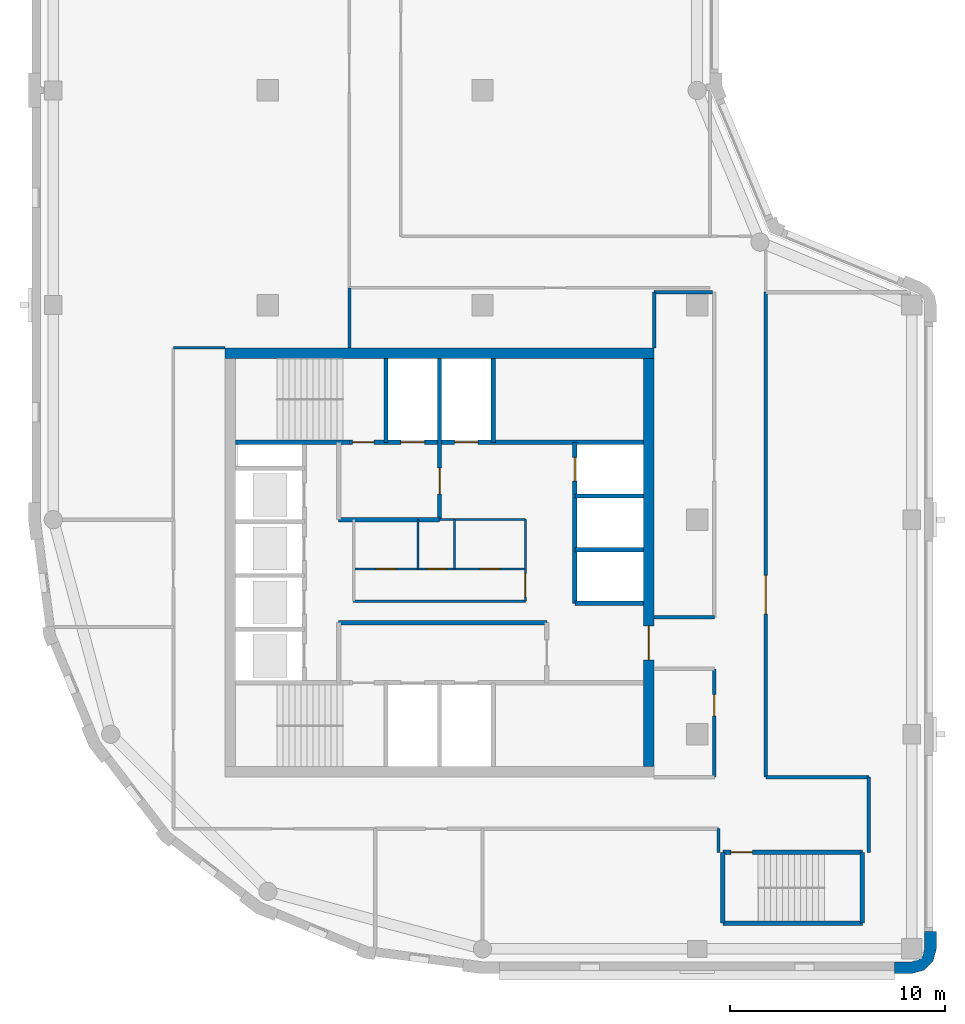
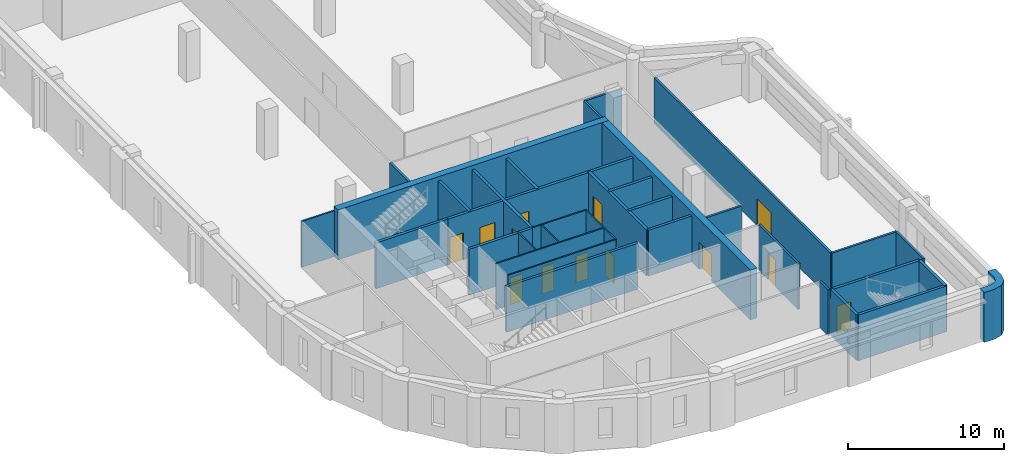
# One storey, part 3 of 8: 34 walls, 13 doors, 13 openings.
"""IFC4 building model written with IfcOpenShell, lengths in metres."""

import ifcopenshell
import ifcopenshell.guid

model = None  # the IFC model being written
_history = None  # IfcOwnerHistory: only IFC2X3 demands one
_inside = {}  # id of a spatial element -> (the spatial element, [elements in it])
_under = {}  # id of a project, library or spatial element -> (it, [spatial elements below it])
_declared = {}  # id of a project -> (the project, [libraries it declares])
_typed = {}  # id of a type object -> (the type object, [elements of that type])
_made_of = {}  # id of a material, layer set ... -> (it, [elements and type objects made of it])


def new_model(schema):
    """Start an empty IFC model of exactly this schema.

    Asked for "IFC4X3", IfcOpenShell would pick the latest addendum, in which some entities
    have other attributes; the version numbers below select the first issue.
    IFC2X3 requires an IfcOwnerHistory on every rooted entity: one is made here for all.
    """
    global model, _history
    if schema == "IFC4X3":
        model = ifcopenshell.file(schema_version=(4, 3, 0, 0))
    else:
        model = ifcopenshell.file(schema=schema)
    _inside.clear()
    _under.clear()
    _declared.clear()
    _typed.clear()
    _made_of.clear()
    _history = None
    if model.schema == "IFC2X3":
        org = make("IfcOrganization", Name="unknown")
        user = make(
            "IfcPersonAndOrganization",
            ThePerson=make("IfcPerson", FamilyName="unknown"),
            TheOrganization=org,
        )
        app = make(
            "IfcApplication",
            ApplicationDeveloper=org,
            Version="unknown",
            ApplicationFullName="unknown",
            ApplicationIdentifier="unknown",
        )
        _history = make(
            "IfcOwnerHistory",
            OwningUser=user,
            OwningApplication=app,
            ChangeAction="ADDED",
            CreationDate=0,
        )
    return model


def make(cls, **values):
    """One entity of the class cls with the attributes given. An attribute that is None is left unset."""
    return model.create_entity(
        cls, **{name: value for name, value in values.items() if value is not None}
    )


def rooted(cls, **values):
    """An entity with a GlobalId (a new one), such as an element, a storey or a relation."""
    return make(cls, GlobalId=ifcopenshell.guid.new(), OwnerHistory=_history, **values)


def si_unit(unit_type, name, prefix=None):
    """IfcSIUnit, for example si_unit("LENGTHUNIT", "METRE", prefix="MILLI")."""
    return make("IfcSIUnit", UnitType=unit_type, Prefix=prefix, Name=name)


def assignment(units):
    """IfcUnitAssignment: the units of a project."""
    return None if units is None else make("IfcUnitAssignment", Units=units)


def point(xyz):
    """IfcCartesianPoint."""
    return None if xyz is None else make("IfcCartesianPoint", Coordinates=xyz)


def direction(xyz):
    """IfcDirection."""
    return None if xyz is None else make("IfcDirection", DirectionRatios=xyz)


def frame(location, z_axis=None, x_axis=None):
    """IfcAxis2Placement3D, a coordinate frame: its origin and axes. An axis left out is left unset."""
    return make(
        "IfcAxis2Placement3D",
        Location=point(location),
        Axis=direction(z_axis),
        RefDirection=direction(x_axis),
    )


def frame_2d(location, x_axis=None):
    """IfcAxis2Placement2D, a coordinate frame in the plane: its origin and x axis."""
    return make(
        "IfcAxis2Placement2D", Location=point(location), RefDirection=direction(x_axis)
    )


def origin():
    """The frame at (0, 0, 0) with its axes left unset."""
    return frame((0.0, 0.0, 0.0))


def place(relative_to, where):
    """IfcLocalPlacement: puts the frame where relative to a parent placement (None: the world)."""
    return make(
        "IfcLocalPlacement", PlacementRelTo=relative_to, RelativePlacement=where
    )


def context(
    kind, dimensions, precision=None, world=None, true_north=None, identifier=None
):
    """IfcGeometricRepresentationContext, for example the 3D "Model" context."""
    return make(
        "IfcGeometricRepresentationContext",
        ContextIdentifier=identifier,
        ContextType=kind,
        CoordinateSpaceDimension=dimensions,
        Precision=precision,
        WorldCoordinateSystem=world,
        TrueNorth=true_north,
    )


def subcontext(parent, identifier, kind, view, scale=None):
    """IfcGeometricRepresentationSubContext, for example "Body" below "Model"."""
    return make(
        "IfcGeometricRepresentationSubContext",
        ContextIdentifier=identifier,
        ContextType=kind,
        ParentContext=parent,
        TargetScale=scale,
        TargetView=view,
    )


def project(units=None, contexts=None):
    """IfcProject with its units and contexts."""
    return rooted(
        "IfcProject",
        Name="project",
        RepresentationContexts=contexts,
        UnitsInContext=assignment(units),
    )


def spatial(cls, under=None, at=None, **own):
    """A site, building, storey or space (cls), placed at a placement, below another one or the project."""
    s = rooted(cls, ObjectPlacement=at, **own)
    if under is not None:
        _under.setdefault(under.id(), (under, []))[1].append(s)
    return s


def polyline(points):
    """IfcPolyline through the points."""
    return make("IfcPolyline", Points=[point(p) for p in points])


def profile(cls, at=None, kind="AREA", **sizes):
    """A parametric profile (cls). Its sizes go by their IFC names, for example OverallWidth=200.0."""
    return make(cls, ProfileType=kind, Position=at, **sizes)


def rectangle(**sizes):
    """IfcRectangleProfileDef."""
    return profile("IfcRectangleProfileDef", **sizes)


def outline(outer, holes=None, kind="AREA"):
    """IfcArbitraryClosedProfileDef: a profile drawn as a closed curve; with holes, ...WithVoids."""
    if holes is None:
        return make("IfcArbitraryClosedProfileDef", ProfileType=kind, OuterCurve=outer)
    return make(
        "IfcArbitraryProfileDefWithVoids",
        ProfileType=kind,
        OuterCurve=outer,
        InnerCurves=holes,
    )


def extrude(swept, where, along, depth):
    """IfcExtrudedAreaSolid: the profile swept, set in the frame where, extruded along a direction by depth."""
    return make(
        "IfcExtrudedAreaSolid",
        SweptArea=swept,
        Position=where,
        ExtrudedDirection=direction(along),
        Depth=depth,
    )


def shape(context_of_items, identifier, shape_type, items):
    """IfcShapeRepresentation: the items that make up one representation, for example the "Body"."""
    return make(
        "IfcShapeRepresentation",
        ContextOfItems=context_of_items,
        RepresentationIdentifier=identifier,
        RepresentationType=shape_type,
        Items=items,
    )


def material(Name=None, Category=None):
    """IfcMaterial."""
    return make("IfcMaterial", Name=Name, Category=Category)


def layer(
    of_material, thickness, ventilated=None, Name=None, Category=None, Priority=None
):
    """IfcMaterialLayer: one layer of a wall or slab, of a material (None: an air gap)."""
    return make(
        "IfcMaterialLayer",
        Material=of_material,
        LayerThickness=thickness,
        IsVentilated=ventilated,
        Name=Name,
        Category=Category,
        Priority=Priority,
    )


def layer_set(layers, Name=None):
    """IfcMaterialLayerSet."""
    return make("IfcMaterialLayerSet", MaterialLayers=layers, LayerSetName=Name)


def made_of(thing, what):
    """Note that an element or type object is made of a material, layer set ...; save() writes the relation."""
    if what is not None:
        _made_of.setdefault(what.id(), (what, []))[1].append(thing)
    return thing


def type_object(cls, material=None, **own):
    """A type object (cls), such as IfcWallType, which elements share."""
    return made_of(rooted(cls, **own), material)


def element(
    cls,
    number,
    at=None,
    inside=None,
    cuts=None,
    type_object=None,
    material=None,
    context=None,
    identifier="Body",
    shape_type=None,
    held_by="IfcProductDefinitionShape",
    body=None,
    shapes=None,
    **own,
):
    """One element of the class cls, such as IfcWall. Its Tag is "e" and its number.

    at: its placement. inside: the storey or other place that contains it. cuts: it is an
    opening in that element (IfcRelVoidsElement). A single representation is given by context,
    identifier, shape_type and body (its items); several are given by shapes. held_by: the class
    of the entity that holds the representations. save() writes the other relations.
    """
    e = rooted(cls, Tag="e%d" % number, ObjectPlacement=at, **own)
    if body is not None:
        shapes = [shape(context, identifier, shape_type, body)]
    if shapes is not None:
        e.Representation = make(held_by, Representations=shapes)
    if inside is not None:
        _inside.setdefault(inside.id(), (inside, []))[1].append(e)
    if cuts is not None:
        rooted(
            "IfcRelVoidsElement", RelatingBuildingElement=cuts, RelatedOpeningElement=e
        )
    if type_object is not None:
        _typed.setdefault(type_object.id(), (type_object, []))[1].append(e)
    return made_of(e, material)


def fill(opening, filler):
    """IfcRelFillsElement: the door or window that sits in an opening."""
    return rooted(
        "IfcRelFillsElement",
        RelatingOpeningElement=opening,
        RelatedBuildingElement=filler,
    )


def aggregate(whole, parts):
    """IfcRelAggregates: a whole, such as a stair, and the parts it consists of."""
    return rooted("IfcRelAggregates", RelatingObject=whole, RelatedObjects=parts)


def save(model, path):
    """Write the relations noted so far, then the file.

    IfcRelAggregates (storeys below a building ...), IfcRelContainedInSpatialStructure (elements
    in a storey), IfcRelDefinesByType, IfcRelAssociatesMaterial and IfcRelDeclares: one each for
    every whole, place, type object, material and project.
    """
    for whole, parts in _under.values():
        aggregate(whole, parts)
    for where, things in _inside.values():
        rooted(
            "IfcRelContainedInSpatialStructure",
            RelatedElements=things,
            RelatingStructure=where,
        )
    for kind, things in _typed.values():
        rooted("IfcRelDefinesByType", RelatedObjects=things, RelatingType=kind)
    for what, things in _made_of.values():
        rooted("IfcRelAssociatesMaterial", RelatedObjects=things, RelatingMaterial=what)
    for by, libraries in _declared.values():
        rooted("IfcRelDeclares", RelatingContext=by, RelatedDefinitions=libraries)
    model.write(path)


model = new_model("IFC4")

# Units and contexts
model_context = context("Model", 3, precision=1e-05, world=origin(), true_north=direction((0.0, 1.0)))
body_context = subcontext(model_context, "Body", "Model", "MODEL_VIEW")
ifc_project = project(units=[si_unit("LENGTHUNIT", "METRE"), si_unit("AREAUNIT", "SQUARE_METRE"), si_unit("VOLUMEUNIT", "CUBIC_METRE"), si_unit("PLANEANGLEUNIT", "RADIAN"), si_unit("MASSUNIT", "GRAM", prefix="KILO")], contexts=[model_context])

# Site, building, storey
site_placement = place(None, origin())
site = spatial("IfcSite", under=ifc_project, at=site_placement, CompositionType="ELEMENT")
building_placement = place(site_placement, origin())
building = spatial("IfcBuilding", under=site, at=building_placement, Name="Qaws Garden Tower", CompositionType="ELEMENT")
storey_placement = place(building_placement, frame((0.0, 0.0, 286.5)))
storey = spatial("IfcBuildingStorey", under=building, at=storey_placement, Name="L69", CompositionType="ELEMENT", Elevation=286.5)

# Walls
ifc_material_1 = material(Name="Clay facing brick masonry", Category="masonry")
ifc_layer_1 = layer(ifc_material_1, 0.550048828125)
ifc_layer_set_1 = layer_set([ifc_layer_1], Name="Clay facing brick masonry")
wall_type_1 = type_object("IfcWallType", Name="Brick corner pier 550 x 2400", PredefinedType="SOLIDWALL", material=ifc_layer_set_1)
wall_1_placement = place(storey_placement, origin())
element("IfcWall", 1, at=wall_1_placement, inside=storey, type_object=wall_type_1, Name="E-L69-pier-02", PredefinedType="SOLIDWALL", context=body_context, shape_type="SweptSolid", body=[
    extrude(outline(polyline([(39.199951171875, -1.0), (39.199951171875, -1.14990234375), (40.0, -1.14990234375), (40.574951171875, -0.995849609375), (40.995849609375, -0.574951171875), (41.14990234375, 0.0), (41.14990234375, 0.800048828125), (41.0, 0.800048828125), (40.60009765625, 0.800048828125), (40.60009765625, 0.0), (40.51953125, -0.300048828125), (40.300048828125, -0.51953125), (40.0, -0.60009765625), (39.199951171875, -0.60009765625), (39.199951171875, -1.0)])), origin(), (0.0, 0.0, 1.0), 3.89990234375),
])
ifc_material_2 = material(Name="Plasterboard")
ifc_layer_2 = layer(ifc_material_2, 0.10009765625)
ifc_layer_set_2 = layer_set([ifc_layer_2], Name="Plasterboard")
wall_type_2 = type_object("IfcWallType", Name="Core partition 100", PredefinedType="PARTITIONING", material=ifc_layer_set_2)
wall_2_placement = place(storey_placement, frame((14.0, 16.199951171875, 0.0), z_axis=(0.0, 0.0, 1.0), x_axis=(1.0, 0.0, 0.0)))
element("IfcWall", 2, at=wall_2_placement, inside=storey, type_object=wall_type_2, Name="Core partition", PredefinedType="PARTITIONING", context=body_context, shape_type="SweptSolid", body=[
    extrude(rectangle(XDim=8.0, YDim=0.10009765625, at=frame_2d((4.0, 0.0))), origin(), (0.0, 0.0, 1.0), 3.580078125),
])

# Wall, openings, doors
wall_3_placement = place(storey_placement, frame((14.0, 17.699951171875, 0.0), z_axis=(0.0, 0.0, 1.0), x_axis=(1.0, 0.0, 0.0)))
wall_3 = element("IfcWall", 3, at=wall_3_placement, inside=storey, type_object=wall_type_2, Name="Core partition", PredefinedType="PARTITIONING", context=body_context, shape_type="SweptSolid", body=[
    extrude(rectangle(XDim=8.0, YDim=0.10009765625, at=frame_2d((4.0, 0.0))), origin(), (0.0, 0.0, 1.0), 3.580078125),
])
opening_1_placement = place(wall_3_placement, frame((1.050048828125, 0.0, 0.0)))
opening_1 = element("IfcOpeningElement", 4, at=opening_1_placement, cuts=wall_3, Name="Opening WD18", PredefinedType="OPENING", context=body_context, shape_type="SweptSolid", body=[
    extrude(rectangle(XDim=0.89990234375, YDim=2.10009765625, at=frame_2d((0.449951171875, 1.050048828125))), frame((0.0, 0.06005859375, 0.0), z_axis=(0.0, -1.0, 0.0), x_axis=(1.0, 0.0, 0.0)), (0.0, 0.0, 1.0), 0.1201171875),
])
opening_2_placement = place(wall_3_placement, frame((3.39990234375, 0.0, 0.0)))
opening_2 = element("IfcOpeningElement", 5, at=opening_2_placement, cuts=wall_3, Name="Opening WD19", PredefinedType="OPENING", context=body_context, shape_type="SweptSolid", body=[
    extrude(rectangle(XDim=0.89990234375, YDim=2.10009765625, at=frame_2d((0.449951171875, 1.050048828125))), frame((0.0, 0.06005859375, 0.0), z_axis=(0.0, -1.0, 0.0), x_axis=(1.0, 0.0, 0.0)), (0.0, 0.0, 1.0), 0.1201171875),
])
opening_3_placement = place(wall_3_placement, frame((5.89990234375, 0.0, 0.0)))
opening_3 = element("IfcOpeningElement", 6, at=opening_3_placement, cuts=wall_3, Name="Opening WD20", PredefinedType="OPENING", context=body_context, shape_type="SweptSolid", body=[
    extrude(rectangle(XDim=0.89990234375, YDim=2.10009765625, at=frame_2d((0.449951171875, 1.050048828125))), frame((0.0, 0.06005859375, 0.0), z_axis=(0.0, -1.0, 0.0), x_axis=(1.0, 0.0, 0.0)), (0.0, 0.0, 1.0), 0.1201171875),
])
ifc_material_3 = material(Name="Timber", Category="wood")
door_type_1 = type_object("IfcDoorType", Name="WC door 900x2100", OperationType="SINGLE_SWING_LEFT", PredefinedType="DOOR", material=ifc_material_3)
door_1_placement = place(opening_1_placement, origin())
door_1 = element("IfcDoor", 7, at=door_1_placement, inside=storey, type_object=door_type_1, Name="Men's WC door", OperationType="SINGLE_SWING_RIGHT", OverallHeight=2.10009765625, OverallWidth=0.89990234375, PredefinedType="DOOR", context=body_context, shape_type="SweptSolid", body=[
    extrude(rectangle(XDim=0.89990234375, YDim=2.10009765625, at=frame_2d((0.449951171875, 1.050048828125))), frame((0.0, 0.02490234375, 0.0), z_axis=(0.0, -1.0, 0.0), x_axis=(1.0, 0.0, 0.0)), (0.0, 0.0, 1.0), 0.050048828125),
])
fill(opening_1, door_1)
door_2_placement = place(opening_2_placement, origin())
door_2 = element("IfcDoor", 8, at=door_2_placement, inside=storey, type_object=door_type_1, Name="Accessible WC door", OperationType="SINGLE_SWING_RIGHT", OverallHeight=2.10009765625, OverallWidth=0.89990234375, PredefinedType="DOOR", context=body_context, shape_type="SweptSolid", body=[
    extrude(rectangle(XDim=0.89990234375, YDim=2.10009765625, at=frame_2d((0.449951171875, 1.050048828125))), frame((0.0, 0.02490234375, 0.0), z_axis=(0.0, -1.0, 0.0), x_axis=(1.0, 0.0, 0.0)), (0.0, 0.0, 1.0), 0.050048828125),
])
fill(opening_2, door_2)
door_3_placement = place(opening_3_placement, origin())
door_3 = element("IfcDoor", 9, at=door_3_placement, inside=storey, type_object=door_type_1, Name="Women's WC door", OperationType="SINGLE_SWING_RIGHT", OverallHeight=2.10009765625, OverallWidth=0.89990234375, PredefinedType="DOOR", context=body_context, shape_type="SweptSolid", body=[
    extrude(rectangle(XDim=0.89990234375, YDim=2.10009765625, at=frame_2d((0.449951171875, 1.050048828125))), frame((0.0, 0.02490234375, 0.0), z_axis=(0.0, -1.0, 0.0), x_axis=(1.0, 0.0, 0.0)), (0.0, 0.0, 1.0), 0.050048828125),
])
fill(opening_3, door_3)

# Walls
wall_4_placement = place(storey_placement, frame((18.0, 20.0, 0.0), z_axis=(0.0, 0.0, 1.0), x_axis=(1.0, 0.0, 0.0)))
element("IfcWall", 10, at=wall_4_placement, inside=storey, type_object=wall_type_2, Name="Core partition", PredefinedType="PARTITIONING", context=body_context, shape_type="SweptSolid", body=[
    extrude(rectangle(XDim=4.0, YDim=0.10009765625, at=frame_2d((2.0, 0.0))), origin(), (0.0, 0.0, 1.0), 3.580078125),
])
for number, where, z_axis, x_axis, name in (
    (11, (17.0, 17.699951171875, 0.0), (0.0, 0.0, 1.0), (0.0, 1.0, 0.0), "Core partition"),
    (12, (18.699951171875, 17.699951171875, 0.0), (0.0, 0.0, 1.0), (0.0, 1.0, 0.0), "Core partition"),
):
    element("IfcWall", number, at=place(storey_placement, frame(where, z_axis=z_axis, x_axis=x_axis)), inside=storey, type_object=wall_type_2, Name=name, PredefinedType="PARTITIONING", context=body_context, shape_type="SweptSolid", body=[
        extrude(rectangle(XDim=2.300048828125, YDim=0.10009765625, at=frame_2d((1.14990234375, 0.0))), origin(), (0.0, 0.0, 1.0), 3.580078125),
    ])

# Wall, opening, door
wall_5_placement = place(storey_placement, frame((22.0, 16.199951171875, 0.0), z_axis=(0.0, 0.0, 1.0), x_axis=(0.0, 1.0, 0.0)))
wall_5 = element("IfcWall", 13, at=wall_5_placement, inside=storey, type_object=wall_type_2, Name="Core partition", PredefinedType="PARTITIONING", context=body_context, shape_type="SweptSolid", body=[
    extrude(rectangle(XDim=3.800048828125, YDim=0.10009765625, at=frame_2d((1.89990234375, 0.0))), origin(), (0.0, 0.0, 1.0), 3.580078125),
])
opening_4_placement = place(wall_5_placement, frame((0.199951171875, 0.0, 0.0)))
opening_4 = element("IfcOpeningElement", 14, at=opening_4_placement, cuts=wall_5, Name="Opening WL17", PredefinedType="OPENING", context=body_context, shape_type="SweptSolid", body=[
    extrude(rectangle(XDim=1.10009765625, YDim=2.10009765625, at=frame_2d((0.550048828125, 1.050048828125))), frame((0.0, 0.06005859375, 0.0), z_axis=(0.0, -1.0, 0.0), x_axis=(1.0, 0.0, 0.0)), (0.0, 0.0, 1.0), 0.1201171875),
])
ifc_material_4 = material(Name="Timber", Category="wood")
door_type_2 = type_object("IfcDoorType", Name="WC lobby door 1100x2100", OperationType="SINGLE_SWING_LEFT", PredefinedType="DOOR", material=ifc_material_4)
door_4_placement = place(opening_4_placement, origin())
door_4 = element("IfcDoor", 15, at=door_4_placement, inside=storey, type_object=door_type_2, Name="WC lobby door", OperationType="SINGLE_SWING_RIGHT", OverallHeight=2.10009765625, OverallWidth=1.10009765625, PredefinedType="DOOR", context=body_context, shape_type="SweptSolid", body=[
    extrude(rectangle(XDim=1.10009765625, YDim=2.10009765625, at=frame_2d((0.550048828125, 1.050048828125))), frame((0.0, 0.02490234375, 0.0), z_axis=(0.0, -1.0, 0.0), x_axis=(1.0, 0.0, 0.0)), (0.0, 0.0, 1.0), 0.050048828125),
])
fill(opening_4, door_4)

# Wall
ifc_material_5 = material(Name="Concrete C60", Category="concrete")
ifc_layer_3 = layer(ifc_material_5, 0.199951171875)
ifc_layer_set_3 = layer_set([ifc_layer_3], Name="Concrete C60")
wall_type_3 = type_object("IfcWallType", Name="Core shaft wall 200 C60", PredefinedType="SHEAR", material=ifc_layer_set_3)
wall_6_placement = place(storey_placement, frame((31.199951171875, 1.199951171875, 0.0), z_axis=(0.0, 0.0, 1.0), x_axis=(1.0, 0.0, 0.0)))
element("IfcWall", 16, at=wall_6_placement, inside=storey, type_object=wall_type_3, Name="Shaft wall", PredefinedType="SHEAR", context=body_context, shape_type="SweptSolid", body=[
    extrude(rectangle(XDim=6.5, YDim=0.199951171875, at=frame_2d((3.25, 0.0))), origin(), (0.0, 0.0, 1.0), 3.580078125),
])

# Wall, opening, door
wall_7_placement = place(storey_placement, frame((31.199951171875, 4.5, 0.0), z_axis=(0.0, 0.0, 1.0), x_axis=(1.0, 0.0, 0.0)))
wall_7 = element("IfcWall", 17, at=wall_7_placement, inside=storey, type_object=wall_type_3, Name="Shaft wall", PredefinedType="SHEAR", context=body_context, shape_type="SweptSolid", body=[
    extrude(rectangle(XDim=6.5, YDim=0.199951171875, at=frame_2d((3.25, 0.0))), origin(), (0.0, 0.0, 1.0), 3.580078125),
])
opening_5_placement = place(wall_7_placement, frame((0.375, 0.0, 0.0)))
opening_5 = element("IfcOpeningElement", 18, at=opening_5_placement, cuts=wall_7, Name="Opening SD12", PredefinedType="OPENING", context=body_context, shape_type="SweptSolid", body=[
    extrude(rectangle(XDim=1.0, YDim=2.10009765625, at=frame_2d((0.5, 1.050048828125))), frame((0.0, 0.10986328125, 0.0), z_axis=(0.0, -1.0, 0.0), x_axis=(1.0, 0.0, 0.0)), (0.0, 0.0, 1.0), 0.219970703125),
])
ifc_material_6 = material(Name="Steel S235", Category="steel")
door_type_3 = type_object("IfcDoorType", Name="Stair door 1000x2100", OperationType="SINGLE_SWING_RIGHT", PredefinedType="DOOR", material=ifc_material_6)
door_5_placement = place(opening_5_placement, frame((1.0, 0.0, 0.0), z_axis=(0.0, 0.0, 1.0), x_axis=(-1.0, 0.0, 0.0)))
door_5 = element("IfcDoor", 19, at=door_5_placement, inside=storey, type_object=door_type_3, Name="Stair 5 door", OperationType="SINGLE_SWING_RIGHT", OverallHeight=2.10009765625, OverallWidth=1.0, PredefinedType="DOOR", context=body_context, shape_type="SweptSolid", body=[
    extrude(rectangle(XDim=1.0, YDim=2.10009765625, at=frame_2d((0.5, 1.050048828125))), frame((0.0, 0.02490234375, 0.0), z_axis=(0.0, -1.0, 0.0), x_axis=(1.0, 0.0, 0.0)), (0.0, 0.0, 1.0), 0.050048828125),
])
fill(opening_5, door_5)

# Walls
wall_8_placement = place(storey_placement, frame((13.300048828125, 15.199951171875, 0.0), z_axis=(0.0, 0.0, 1.0), x_axis=(1.0, 0.0, 0.0)))
element("IfcWall", 20, at=wall_8_placement, inside=storey, type_object=wall_type_3, Name="Shaft wall", PredefinedType="SHEAR", context=body_context, shape_type="SweptSolid", body=[
    extrude(rectangle(XDim=9.699951171875, YDim=0.199951171875, at=frame_2d((4.85009765625, 0.0))), origin(), (0.0, 0.0, 1.0), 3.580078125),
])
for number, where, z_axis, x_axis, name in (
    (21, (24.300048828125, 16.10009765625, 0.0), (0.0, 0.0, 1.0), (1.0, 0.0, 0.0), "Shaft wall"),
    (22, (24.300048828125, 18.60009765625, 0.0), (0.0, 0.0, 1.0), (1.0, 0.0, 0.0), "Shaft wall"),
):
    element("IfcWall", number, at=place(storey_placement, frame(where, z_axis=z_axis, x_axis=x_axis)), inside=storey, type_object=wall_type_3, Name=name, PredefinedType="SHEAR", context=body_context, shape_type="SweptSolid", body=[
        extrude(rectangle(XDim=3.199951171875, YDim=0.199951171875, at=frame_2d((1.60009765625, 0.0))), origin(), (0.0, 0.0, 1.0), 3.580078125),
    ])
wall_9_placement = place(storey_placement, frame((13.300048828125, 20.0, 0.0), z_axis=(0.0, 0.0, 1.0), x_axis=(1.0, 0.0, 0.0)))
element("IfcWall", 23, at=wall_9_placement, inside=storey, type_object=wall_type_3, Name="Shaft wall", PredefinedType="SHEAR", context=body_context, shape_type="SweptSolid", body=[
    extrude(rectangle(XDim=4.699951171875, YDim=0.199951171875, at=frame_2d((2.35009765625, 0.0))), origin(), (0.0, 0.0, 1.0), 3.580078125),
])
wall_10_placement = place(storey_placement, frame((24.300048828125, 21.10009765625, 0.0), z_axis=(0.0, 0.0, 1.0), x_axis=(1.0, 0.0, 0.0)))
element("IfcWall", 24, at=wall_10_placement, inside=storey, type_object=wall_type_3, Name="Shaft wall", PredefinedType="SHEAR", context=body_context, shape_type="SweptSolid", body=[
    extrude(rectangle(XDim=3.199951171875, YDim=0.199951171875, at=frame_2d((1.60009765625, 0.0))), origin(), (0.0, 0.0, 1.0), 3.580078125),
])
wall_11_placement = place(storey_placement, frame((8.5, 23.60009765625, 0.0), z_axis=(0.0, 0.0, 1.0), x_axis=(1.0, 0.0, 0.0)))
element("IfcWall", 25, at=wall_11_placement, inside=storey, type_object=wall_type_3, Name="Shaft wall", PredefinedType="SHEAR", context=body_context, shape_type="SweptSolid", body=[
    extrude(rectangle(XDim=5.300048828125, YDim=0.199951171875, at=frame_2d((2.64990234375, 0.0))), origin(), (0.0, 0.0, 1.0), 3.580078125),
])

# Wall, openings, doors
wall_12_placement = place(storey_placement, frame((13.800048828125, 23.60009765625, 0.0), z_axis=(0.0, 0.0, 1.0), x_axis=(1.0, 0.0, 0.0)))
wall_12 = element("IfcWall", 26, at=wall_12_placement, inside=storey, type_object=wall_type_3, Name="Shaft wall", PredefinedType="SHEAR", context=body_context, shape_type="SweptSolid", body=[
    extrude(rectangle(XDim=13.699951171875, YDim=0.199951171875, at=frame_2d((6.85009765625, 0.0))), origin(), (0.0, 0.0, 1.0), 3.580078125),
])
opening_6_placement = place(wall_12_placement, frame((2.39990234375, 0.0, 0.0)))
opening_6 = element("IfcOpeningElement", 27, at=opening_6_placement, cuts=wall_12, Name="Opening LD08", PredefinedType="OPENING", context=body_context, shape_type="SweptSolid", body=[
    extrude(rectangle(XDim=1.10009765625, YDim=2.10009765625, at=frame_2d((0.550048828125, 1.050048828125))), frame((0.0, 0.10986328125, 0.0), z_axis=(0.0, -1.0, 0.0), x_axis=(1.0, 0.0, 0.0)), (0.0, 0.0, 1.0), 0.219970703125),
])
opening_7_placement = place(wall_12_placement, frame((4.89990234375, 0.0, 0.0)))
opening_7 = element("IfcOpeningElement", 28, at=opening_7_placement, cuts=wall_12, Name="Opening LD09", PredefinedType="OPENING", context=body_context, shape_type="SweptSolid", body=[
    extrude(rectangle(XDim=1.10009765625, YDim=2.10009765625, at=frame_2d((0.550048828125, 1.050048828125))), frame((0.0, 0.10986328125, 0.0), z_axis=(0.0, -1.0, 0.0), x_axis=(1.0, 0.0, 0.0)), (0.0, 0.0, 1.0), 0.219970703125),
])
opening_8_placement = place(wall_12_placement, frame((0.14990234375, 0.0, 0.0)))
opening_8 = element("IfcOpeningElement", 29, at=opening_8_placement, cuts=wall_12, Name="Opening SD11", PredefinedType="OPENING", context=body_context, shape_type="SweptSolid", body=[
    extrude(rectangle(XDim=1.0, YDim=2.10009765625, at=frame_2d((0.5, 1.050048828125))), frame((0.0, 0.10986328125, 0.0), z_axis=(0.0, -1.0, 0.0), x_axis=(1.0, 0.0, 0.0)), (0.0, 0.0, 1.0), 0.219970703125),
])
ifc_material_7 = material(Name="Steel S235", Category="steel")
door_type_4 = type_object("IfcDoorType", Name="Landing door 1100x2100", OperationType="DOUBLE_DOOR_SLIDING", PredefinedType="DOOR", material=ifc_material_7)
door_6_placement = place(opening_6_placement, origin())
door_6 = element("IfcDoor", 30, at=door_6_placement, inside=storey, type_object=door_type_4, Name="Lift FF3 landing door", OperationType="DOUBLE_DOOR_SLIDING", OverallHeight=2.10009765625, OverallWidth=1.10009765625, PredefinedType="DOOR", context=body_context, shape_type="SweptSolid", body=[
    extrude(rectangle(XDim=1.10009765625, YDim=2.10009765625, at=frame_2d((0.550048828125, 1.050048828125))), frame((0.0, 0.02490234375, 0.0), z_axis=(0.0, -1.0, 0.0), x_axis=(1.0, 0.0, 0.0)), (0.0, 0.0, 1.0), 0.050048828125),
])
fill(opening_6, door_6)
door_7_placement = place(opening_7_placement, origin())
door_7 = element("IfcDoor", 31, at=door_7_placement, inside=storey, type_object=door_type_4, Name="Lift SV2 landing door", OperationType="DOUBLE_DOOR_SLIDING", OverallHeight=2.10009765625, OverallWidth=1.10009765625, PredefinedType="DOOR", context=body_context, shape_type="SweptSolid", body=[
    extrude(rectangle(XDim=1.10009765625, YDim=2.10009765625, at=frame_2d((0.550048828125, 1.050048828125))), frame((0.0, 0.02490234375, 0.0), z_axis=(0.0, -1.0, 0.0), x_axis=(1.0, 0.0, 0.0)), (0.0, 0.0, 1.0), 0.050048828125),
])
fill(opening_7, door_7)
door_8_placement = place(opening_8_placement, origin())
door_8 = element("IfcDoor", 32, at=door_8_placement, inside=storey, type_object=door_type_3, Name="Stair 4 door", OperationType="SINGLE_SWING_RIGHT", OverallHeight=2.10009765625, OverallWidth=1.0, PredefinedType="DOOR", context=body_context, shape_type="SweptSolid", body=[
    extrude(rectangle(XDim=1.0, YDim=2.10009765625, at=frame_2d((0.5, 1.050048828125))), frame((0.0, 0.02490234375, 0.0), z_axis=(0.0, -1.0, 0.0), x_axis=(1.0, 0.0, 0.0)), (0.0, 0.0, 1.0), 0.050048828125),
])
fill(opening_8, door_8)

# Wall
wall_13_placement = place(storey_placement, frame((15.5, 23.60009765625, 0.0), z_axis=(0.0, 0.0, 1.0), x_axis=(0.0, 1.0, 0.0)))
element("IfcWall", 33, at=wall_13_placement, inside=storey, type_object=wall_type_3, Name="Shaft wall", PredefinedType="SHEAR", context=body_context, shape_type="SweptSolid", body=[
    extrude(rectangle(XDim=3.89990234375, YDim=0.199951171875, at=frame_2d((1.949951171875, 0.0))), origin(), (0.0, 0.0, 1.0), 3.580078125),
])

# Wall, opening, door
wall_14_placement = place(storey_placement, frame((18.0, 20.0, 0.0), z_axis=(0.0, 0.0, 1.0), x_axis=(0.0, 1.0, 0.0)))
wall_14 = element("IfcWall", 34, at=wall_14_placement, inside=storey, type_object=wall_type_3, Name="Shaft wall", PredefinedType="SHEAR", context=body_context, shape_type="SweptSolid", body=[
    extrude(rectangle(XDim=7.5, YDim=0.199951171875, at=frame_2d((3.75, 0.0))), origin(), (0.0, 0.0, 1.0), 3.580078125),
])
opening_9_placement = place(wall_14_placement, frame((1.199951171875, 0.0, 0.0)))
opening_9 = element("IfcOpeningElement", 35, at=opening_9_placement, cuts=wall_14, Name="Opening FD16", PredefinedType="OPENING", context=body_context, shape_type="SweptSolid", body=[
    extrude(rectangle(XDim=1.199951171875, YDim=2.10009765625, at=frame_2d((0.60009765625, 1.050048828125))), frame((0.0, 0.10986328125, 0.0), z_axis=(0.0, -1.0, 0.0), x_axis=(1.0, 0.0, 0.0)), (0.0, 0.0, 1.0), 0.219970703125),
])
ifc_material_8 = material(Name="Steel S235", Category="steel")
door_type_5 = type_object("IfcDoorType", Name="Lobby door 1200x2100", OperationType="DOUBLE_DOOR_SINGLE_SWING", PredefinedType="DOOR", material=ifc_material_8)
door_9_placement = place(opening_9_placement, origin())
door_9 = element("IfcDoor", 36, at=door_9_placement, inside=storey, type_object=door_type_5, Name="Fire-fighting lobby door", OperationType="DOUBLE_DOOR_SINGLE_SWING", OverallHeight=2.10009765625, OverallWidth=1.199951171875, PredefinedType="DOOR", context=body_context, shape_type="SweptSolid", body=[
    extrude(rectangle(XDim=1.199951171875, YDim=2.10009765625, at=frame_2d((0.60009765625, 1.050048828125))), frame((0.0, 0.02490234375, 0.0), z_axis=(0.0, -1.0, 0.0), x_axis=(1.0, 0.0, 0.0)), (0.0, 0.0, 1.0), 0.050048828125),
])
fill(opening_9, door_9)

# Wall
wall_15_placement = place(storey_placement, frame((20.5, 23.60009765625, 0.0), z_axis=(0.0, 0.0, 1.0), x_axis=(0.0, 1.0, 0.0)))
element("IfcWall", 37, at=wall_15_placement, inside=storey, type_object=wall_type_3, Name="Shaft wall", PredefinedType="SHEAR", context=body_context, shape_type="SweptSolid", body=[
    extrude(rectangle(XDim=3.89990234375, YDim=0.199951171875, at=frame_2d((1.949951171875, 0.0))), origin(), (0.0, 0.0, 1.0), 3.580078125),
])

# Wall, opening, door
wall_16_placement = place(storey_placement, frame((24.300048828125, 16.10009765625, 0.0), z_axis=(0.0, 0.0, 1.0), x_axis=(0.0, 1.0, 0.0)))
wall_16 = element("IfcWall", 38, at=wall_16_placement, inside=storey, type_object=wall_type_3, Name="Shaft wall", PredefinedType="SHEAR", context=body_context, shape_type="SweptSolid", body=[
    extrude(rectangle(XDim=7.5, YDim=0.199951171875, at=frame_2d((3.75, 0.0))), origin(), (0.0, 0.0, 1.0), 3.580078125),
])
opening_10_placement = place(wall_16_placement, frame((5.699951171875, 0.0, 0.0)))
opening_10 = element("IfcOpeningElement", 39, at=opening_10_placement, cuts=wall_16, Name="Opening LD05", PredefinedType="OPENING", context=body_context, shape_type="SweptSolid", body=[
    extrude(rectangle(XDim=1.10009765625, YDim=2.10009765625, at=frame_2d((0.550048828125, 1.050048828125))), frame((0.0, 0.10986328125, 0.0), z_axis=(0.0, -1.0, 0.0), x_axis=(1.0, 0.0, 0.0)), (0.0, 0.0, 1.0), 0.219970703125),
])
door_10_placement = place(opening_10_placement, origin())
door_10 = element("IfcDoor", 40, at=door_10_placement, inside=storey, type_object=door_type_4, Name="Lift E3 landing door", OperationType="DOUBLE_DOOR_SLIDING", OverallHeight=2.10009765625, OverallWidth=1.10009765625, PredefinedType="DOOR", context=body_context, shape_type="SweptSolid", body=[
    extrude(rectangle(XDim=1.10009765625, YDim=2.10009765625, at=frame_2d((0.550048828125, 1.050048828125))), frame((0.0, 0.02490234375, 0.0), z_axis=(0.0, -1.0, 0.0), x_axis=(1.0, 0.0, 0.0)), (0.0, 0.0, 1.0), 0.050048828125),
])
fill(opening_10, door_10)

# Walls
for number, where, z_axis, x_axis, name in (
    (41, (31.199951171875, 1.199951171875, 0.0), (0.0, 0.0, 1.0), (0.0, 1.0, 0.0), "Shaft wall"),
    (42, (37.699951171875, 1.199951171875, 0.0), (0.0, 0.0, 1.0), (0.0, 1.0, 0.0), "Shaft wall"),
):
    element("IfcWall", number, at=place(storey_placement, frame(where, z_axis=z_axis, x_axis=x_axis)), inside=storey, type_object=wall_type_3, Name=name, PredefinedType="SHEAR", context=body_context, shape_type="SweptSolid", body=[
        extrude(rectangle(XDim=3.300048828125, YDim=0.199951171875, at=frame_2d((1.64990234375, 0.0))), origin(), (0.0, 0.0, 1.0), 3.580078125),
    ])

# Wall, opening, door
ifc_material_9 = material(Name="Concrete C60", Category="concrete")
ifc_layer_4 = layer(ifc_material_9, 0.5)
ifc_layer_set_4 = layer_set([ifc_layer_4], Name="Concrete C60")
wall_type_4 = type_object("IfcWallType", Name="Core wall 500 C60", PredefinedType="SHEAR", material=ifc_layer_set_4)
wall_17_placement = place(storey_placement, frame((27.75, 8.5, 0.0), z_axis=(0.0, 0.0, 1.0), x_axis=(0.0, 1.0, 0.0)))
wall_17 = element("IfcWall", 43, at=wall_17_placement, inside=storey, type_object=wall_type_4, Name="Core wall L69 east", PredefinedType="SHEAR", context=body_context, shape_type="SweptSolid", body=[
    extrude(rectangle(XDim=19.0, YDim=0.5, at=frame_2d((9.5, 0.0))), origin(), (0.0, 0.0, 1.0), 3.89990234375),
])
opening_11_placement = place(wall_17_placement, frame((4.949951171875, 0.0, 0.0)))
opening_11 = element("IfcOpeningElement", 44, at=opening_11_placement, cuts=wall_17, Name="Opening ED21", PredefinedType="OPENING", context=body_context, shape_type="SweptSolid", body=[
    extrude(rectangle(XDim=1.60009765625, YDim=2.10009765625, at=frame_2d((0.800048828125, 1.050048828125))), frame((0.0, 0.260009765625, 0.0), z_axis=(0.0, -1.0, 0.0), x_axis=(1.0, 0.0, 0.0)), (0.0, 0.0, 1.0), 0.52001953125),
])
ifc_material_10 = material(Name="Steel S235", Category="steel")
door_type_6 = type_object("IfcDoorType", Name="Core entrance door 1600x2100", OperationType="DOUBLE_DOOR_SINGLE_SWING", PredefinedType="DOOR", material=ifc_material_10)
door_11_placement = place(opening_11_placement, origin())
door_11 = element("IfcDoor", 45, at=door_11_placement, inside=storey, type_object=door_type_6, Name="Core entrance door", OperationType="DOUBLE_DOOR_SINGLE_SWING", OverallHeight=2.10009765625, OverallWidth=1.60009765625, PredefinedType="DOOR", context=body_context, shape_type="SweptSolid", body=[
    extrude(rectangle(XDim=1.60009765625, YDim=2.10009765625, at=frame_2d((0.800048828125, 1.050048828125))), frame((0.0, 0.02490234375, 0.0), z_axis=(0.0, -1.0, 0.0), x_axis=(1.0, 0.0, 0.0)), (0.0, 0.0, 1.0), 0.050048828125),
])
fill(opening_11, door_11)

# Walls
wall_18_placement = place(storey_placement, frame((28.0, 27.75, 0.0), z_axis=(0.0, 0.0, 1.0), x_axis=(-1.0, 0.0, 0.0)))
element("IfcWall", 46, at=wall_18_placement, inside=storey, type_object=wall_type_4, Name="Core wall L69 north", PredefinedType="SHEAR", context=body_context, shape_type="SweptSolid", body=[
    extrude(rectangle(XDim=20.0, YDim=0.5, at=frame_2d((10.0, 0.0))), origin(), (0.0, 0.0, 1.0), 3.89990234375),
])
ifc_material_11 = material(Name="Glass and aluminium framing", Category="aluminium")
ifc_layer_5 = layer(ifc_material_11, 0.1201171875)
ifc_layer_set_5 = layer_set([ifc_layer_5], Name="Glass and aluminium framing")
wall_type_5 = type_object("IfcWallType", Name="GLAZED PARTITION 120 EI 30", PredefinedType="PARTITIONING", material=ifc_layer_set_5)
wall_19_placement = place(storey_placement, frame((5.60009765625, 28.0, 0.0), z_axis=(0.0, 0.0, 1.0), x_axis=(1.0, 0.0, 0.0)))
element("IfcWall", 47, at=wall_19_placement, inside=storey, type_object=wall_type_5, Name="O-L69-wall-035", PredefinedType="PARTITIONING", context=body_context, shape_type="SweptSolid", body=[
    extrude(rectangle(XDim=2.39990234375, YDim=0.1201171875, at=frame_2d((1.199951171875, 0.0))), origin(), (0.0, 0.0, 1.0), 3.580078125),
])
ifc_material_12 = material(Name="Gypsum board partition")
ifc_layer_6 = layer(ifc_material_12, 0.14990234375)
ifc_layer_set_6 = layer_set([ifc_layer_6], Name="Gypsum board partition")
wall_type_6 = type_object("IfcWallType", Name="PARTITION 150 EI 60", PredefinedType="PARTITIONING", material=ifc_layer_set_6)
wall_20_placement = place(storey_placement, frame((13.800048828125, 28.0, 0.0), z_axis=(0.0, 0.0, 1.0), x_axis=(0.0, 1.0, 0.0)))
element("IfcWall", 48, at=wall_20_placement, inside=storey, type_object=wall_type_6, Name="O-L69-wall-002", PredefinedType="PARTITIONING", context=body_context, shape_type="SweptSolid", body=[
    extrude(rectangle(XDim=2.801025390625, YDim=0.14990234375, at=frame_2d((1.400390625, 0.0))), origin(), (0.0, 0.0, 1.0), 3.580078125),
])
wall_21_placement = place(storey_placement, frame((28.0, 28.0, 0.0), z_axis=(0.0, 0.0, 1.0), x_axis=(0.0, 1.0, 0.0)))
element("IfcWall", 49, at=wall_21_placement, inside=storey, type_object=wall_type_6, Name="O-L69-wall-007", PredefinedType="PARTITIONING", context=body_context, shape_type="SweptSolid", body=[
    extrude(rectangle(XDim=2.597900390625, YDim=0.14990234375, at=frame_2d((1.298828125, 0.0))), origin(), (0.0, 0.0, 1.0), 3.580078125),
])

# Wall, opening, door
wall_22_placement = place(storey_placement, frame((30.800048828125, 8.0, 0.0), z_axis=(0.0, 0.0, 1.0), x_axis=(0.0, 1.0, 0.0)))
wall_22 = element("IfcWall", 50, at=wall_22_placement, inside=storey, type_object=wall_type_6, Name="O-L69-wall-009", PredefinedType="PARTITIONING", context=body_context, shape_type="SweptSolid", body=[
    extrude(rectangle(XDim=5.050048828125, YDim=0.14990234375, at=frame_2d((2.52490234375, 0.0))), origin(), (0.0, 0.0, 1.0), 3.580078125),
])
opening_12_placement = place(wall_22_placement, frame((2.85009765625, 0.0, 0.0)))
opening_12 = element("IfcOpeningElement", 51, at=opening_12_placement, cuts=wall_22, Name="Opening C4B10", PredefinedType="OPENING", context=body_context, shape_type="SweptSolid", body=[
    extrude(rectangle(XDim=1.0, YDim=2.10009765625, at=frame_2d((0.5, 1.050048828125))), frame((0.0, 0.0849609375, 0.0), z_axis=(0.0, -1.0, 0.0), x_axis=(1.0, 0.0, 0.0)), (0.0, 0.0, 1.0), 0.169921875),
])
ifc_material_13 = material(Name="Timber door leaf", Category="wood")
door_type_7 = type_object("IfcDoorType", Name="TENANCY ENTRANCE DOOR 1000 X 2100", OperationType="SINGLE_SWING_LEFT", PredefinedType="DOOR", material=ifc_material_13)
door_12_placement = place(opening_12_placement, origin())
door_12 = element("IfcDoor", 52, at=door_12_placement, inside=storey, type_object=door_type_7, Name="O-L69-door-010", OperationType="SINGLE_SWING_RIGHT", OverallHeight=2.10009765625, OverallWidth=1.0, PredefinedType="DOOR", context=body_context, shape_type="SweptSolid", body=[
    extrude(rectangle(XDim=1.0, YDim=2.10009765625, at=frame_2d((0.5, 1.050048828125))), frame((0.0, 0.02490234375, 0.0), z_axis=(0.0, -1.0, 0.0), x_axis=(1.0, 0.0, 0.0)), (0.0, 0.0, 1.0), 0.050048828125),
])
fill(opening_12, door_12)

# Wall
wall_23_placement = place(storey_placement, frame((31.0, 4.5009765625, 0.0), z_axis=(0.0, 0.0, 1.0), x_axis=(0.0, 1.0, 0.0)))
element("IfcWall", 53, at=wall_23_placement, inside=storey, type_object=wall_type_6, Name="O-L69-wall-011", PredefinedType="PARTITIONING", context=body_context, shape_type="SweptSolid", body=[
    extrude(rectangle(XDim=1.09912109375, YDim=0.14990234375, at=frame_2d((0.549560546875, 0.0))), origin(), (0.0, 0.0, 1.0), 3.580078125),
])

# Wall, opening, door
wall_24_placement = place(storey_placement, frame((33.199951171875, 8.0, 0.0), z_axis=(0.0, 0.0, 1.0), x_axis=(0.0, 1.0, 0.0)))
wall_24 = element("IfcWall", 54, at=wall_24_placement, inside=storey, type_object=wall_type_6, Name="O-L69-wall-012", PredefinedType="PARTITIONING", context=body_context, shape_type="SweptSolid", body=[
    extrude(rectangle(XDim=22.60009765625, YDim=0.14990234375, at=frame_2d((11.300048828125, 0.0))), origin(), (0.0, 0.0, 1.0), 3.580078125),
])
opening_13_placement = place(wall_24_placement, frame((7.60009765625, 0.0, 0.0)))
opening_13 = element("IfcOpeningElement", 55, at=opening_13_placement, cuts=wall_24, Name="Opening C4B08", PredefinedType="OPENING", context=body_context, shape_type="SweptSolid", body=[
    extrude(rectangle(XDim=1.800048828125, YDim=2.10009765625, at=frame_2d((0.89990234375, 1.050048828125))), frame((0.0, 0.0849609375, 0.0), z_axis=(0.0, -1.0, 0.0), x_axis=(1.0, 0.0, 0.0)), (0.0, 0.0, 1.0), 0.169921875),
])
ifc_material_14 = material(Name="Timber door leaf", Category="wood")
door_type_8 = type_object("IfcDoorType", Name="DOUBLE DOOR 1800 X 2100", OperationType="DOUBLE_DOOR_SINGLE_SWING", PredefinedType="DOOR", material=ifc_material_14)
door_13_placement = place(opening_13_placement, frame((1.800048828125, 0.0, 0.0), z_axis=(0.0, 0.0, 1.0), x_axis=(-1.0, 0.0, 0.0)))
door_13 = element("IfcDoor", 56, at=door_13_placement, inside=storey, type_object=door_type_8, Name="O-L69-door-008", OperationType="DOUBLE_DOOR_SINGLE_SWING", OverallHeight=2.10009765625, OverallWidth=1.800048828125, PredefinedType="DOOR", context=body_context, shape_type="SweptSolid", body=[
    extrude(rectangle(XDim=1.800048828125, YDim=2.10009765625, at=frame_2d((0.89990234375, 1.050048828125))), frame((0.0, 0.02490234375, 0.0), z_axis=(0.0, -1.0, 0.0), x_axis=(1.0, 0.0, 0.0)), (0.0, 0.0, 1.0), 0.050048828125),
])
fill(opening_13, door_13)

# Walls
wall_25_placement = place(storey_placement, frame((38.0, 4.5009765625, 0.0), z_axis=(0.0, 0.0, 1.0), x_axis=(0.0, 1.0, 0.0)))
element("IfcWall", 57, at=wall_25_placement, inside=storey, type_object=wall_type_6, Name="O-L69-wall-013", PredefinedType="PARTITIONING", context=body_context, shape_type="SweptSolid", body=[
    extrude(rectangle(XDim=3.4990234375, YDim=0.14990234375, at=frame_2d((1.74951171875, 0.0))), origin(), (0.0, 0.0, 1.0), 3.580078125),
])
wall_26_placement = place(storey_placement, frame((33.199951171875, 8.0, 0.0), z_axis=(0.0, 0.0, 1.0), x_axis=(1.0, 0.0, 0.0)))
element("IfcWall", 58, at=wall_26_placement, inside=storey, type_object=wall_type_6, Name="O-L69-wall-016", PredefinedType="PARTITIONING", context=body_context, shape_type="SweptSolid", body=[
    extrude(rectangle(XDim=4.800048828125, YDim=0.14990234375, at=frame_2d((2.39990234375, 0.0))), origin(), (0.0, 0.0, 1.0), 3.580078125),
])
wall_27_placement = place(storey_placement, frame((28.0, 15.449951171875, 0.0), z_axis=(0.0, 0.0, 1.0), x_axis=(1.0, 0.0, 0.0)))
element("IfcWall", 59, at=wall_27_placement, inside=storey, type_object=wall_type_6, Name="O-L69-wall-019", PredefinedType="PARTITIONING", context=body_context, shape_type="SweptSolid", body=[
    extrude(rectangle(XDim=2.800048828125, YDim=0.14990234375, at=frame_2d((1.39990234375, 0.0))), origin(), (0.0, 0.0, 1.0), 3.580078125),
])
wall_28_placement = place(storey_placement, frame((28.001953125, 30.60009765625, 0.0), z_axis=(0.0, 0.0, 1.0), x_axis=(1.0, 0.0, 0.0)))
element("IfcWall", 60, at=wall_28_placement, inside=storey, type_object=wall_type_6, Name="O-L69-wall-021", PredefinedType="PARTITIONING", context=body_context, shape_type="SweptSolid", body=[
    extrude(rectangle(XDim=2.72314453125, YDim=0.14990234375, at=frame_2d((1.361572265625, 0.0))), origin(), (0.0, 0.0, 1.0), 3.580078125),
])

save(model, "model.ifc")
